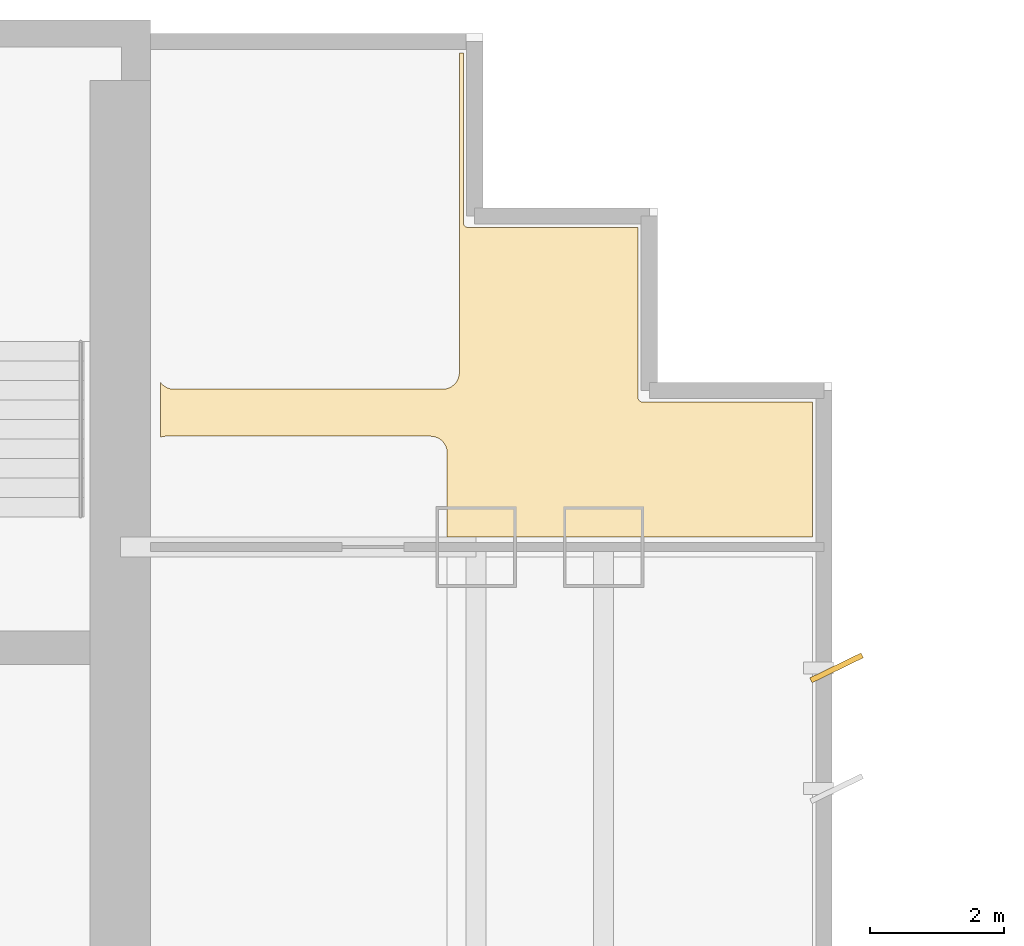
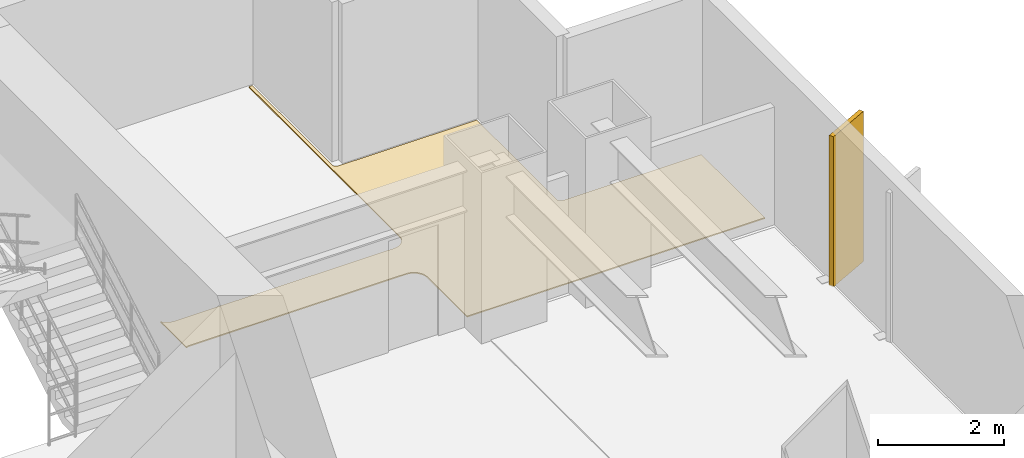
# One storey, part 11 of 11: 1 covering, 1 shading device.
"""IFC4 building model written with IfcOpenShell, lengths in metres."""

from ifc_helpers import new_model, si_unit, direction, frame, origin, origin_2d, place, context, subcontext, project, spatial, polyline, rectangle, outline, extrude, source, transform, mapped, material, layer, layer_set, type_object, element, save


model = new_model("IFC4")

# Units and contexts
model_context = context("Model", 3, precision=1e-05, world=origin(), true_north=direction((0.0, 1.0)))
body_context = subcontext(model_context, "Body", "Model", "MODEL_VIEW")
ifc_project = project(units=[si_unit("LENGTHUNIT", "METRE"), si_unit("AREAUNIT", "SQUARE_METRE"), si_unit("VOLUMEUNIT", "CUBIC_METRE"), si_unit("PLANEANGLEUNIT", "RADIAN"), si_unit("MASSUNIT", "GRAM", prefix="KILO")], contexts=[model_context])

# Site, building, storey
site_placement = place(None, origin())
site = spatial("IfcSite", under=ifc_project, at=site_placement, CompositionType="ELEMENT")
building_placement = place(site_placement, origin())
building = spatial("IfcBuilding", under=site, at=building_placement, Name="Qianlan Lanfeng Residences", CompositionType="ELEMENT")
storey_placement = place(building_placement, frame((0.0, 0.0, 24.199951171875)))
storey = spatial("IfcBuildingStorey", under=building, at=storey_placement, Name="L05", CompositionType="ELEMENT", Elevation=24.199951171875)

# Covering
ifc_material_1 = material(Name="Engineered Smoked Oak Timber Flooring", Category="wood")
ifc_layer = layer(ifc_material_1, 0.02197265625)
ifc_layer_set = layer_set([ifc_layer], Name="Engineered Smoked Oak Timber Flooring")
covering_type = type_object("IfcCoveringType", Name="FLR-TIM-22", PredefinedType="FLOORING", material=ifc_layer_set)
covering_placement = place(storey_placement, origin())
element("IfcCovering", 1, at=covering_placement, inside=storey, type_object=covering_type, Name="L05 Resident Lounge Floor Finish", PredefinedType="FLOORING", context=body_context, shape_type="SweptSolid", body=[
    extrude(outline(polyline([(43.0, 34.237060546875), (43.007080078125, 34.239013671875), (43.031005859375, 34.2451171875), (43.054931640625, 34.2490234375), (43.080078125, 34.25), (47.02001953125, 34.25), (47.044921875, 34.2490234375), (47.069091796875, 34.2451171875), (47.093017578125, 34.239013671875), (47.115966796875, 34.23095703125), (47.137939453125, 34.219970703125), (47.158935546875, 34.2080078125), (47.178955078125, 34.193115234375), (47.197021484375, 34.177001953125), (47.212890625, 34.158935546875), (47.22802734375, 34.138916015625), (47.239990234375, 34.117919921875), (47.2509765625, 34.095947265625), (47.259033203125, 34.072998046875), (47.264892578125, 34.049072265625), (47.26904296875, 34.02490234375), (47.27001953125, 34.0), (47.27001953125, 32.75), (52.7099609375, 32.75), (52.7099609375, 34.760009765625), (50.179931640625, 34.760009765625), (50.173095703125, 34.760009765625), (50.166015625, 34.760986328125), (50.159912109375, 34.762939453125), (50.153076171875, 34.764892578125), (50.14697265625, 34.76806640625), (50.14111328125, 34.77197265625), (50.135986328125, 34.77587890625), (50.131103515625, 34.781005859375), (50.1259765625, 34.785888671875), (50.1220703125, 34.791015625), (50.117919921875, 34.797119140625), (50.114990234375, 34.802978515625), (50.113037109375, 34.81005859375), (50.111083984375, 34.81591796875), (50.110107421875, 34.822998046875), (50.110107421875, 34.830078125), (50.110107421875, 37.360107421875), (47.580078125, 37.360107421875), (47.572998046875, 37.360107421875), (47.56591796875, 37.361083984375), (47.56005859375, 37.363037109375), (47.552978515625, 37.364990234375), (47.547119140625, 37.367919921875), (47.541015625, 37.3720703125), (47.535888671875, 37.3759765625), (47.531005859375, 37.381103515625), (47.52587890625, 37.385986328125), (47.52197265625, 37.39111328125), (47.51806640625, 37.39697265625), (47.514892578125, 37.403076171875), (47.512939453125, 37.409912109375), (47.510986328125, 37.416015625), (47.510009765625, 37.423095703125), (47.510009765625, 37.429931640625), (47.510009765625, 39.9599609375), (47.449951171875, 39.9599609375), (47.449951171875, 35.199951171875), (47.448974609375, 35.175048828125), (47.445068359375, 35.15087890625), (47.43896484375, 35.126953125), (47.430908203125, 35.10400390625), (47.419921875, 35.08203125), (47.407958984375, 35.06103515625), (47.39306640625, 35.041015625), (47.376953125, 35.02294921875), (47.35888671875, 35.007080078125), (47.339111328125, 34.991943359375), (47.318115234375, 34.97998046875), (47.2958984375, 34.968994140625), (47.27294921875, 34.9609375), (47.2490234375, 34.955078125), (47.22509765625, 34.950927734375), (47.199951171875, 34.949951171875), (43.199951171875, 34.949951171875), (43.175048828125, 34.950927734375), (43.15087890625, 34.955078125), (43.126953125, 34.9609375), (43.10400390625, 34.968994140625), (43.08203125, 34.97998046875), (43.06103515625, 34.991943359375), (43.041015625, 35.007080078125), (43.02294921875, 35.02294921875), (43.007080078125, 35.041015625), (43.0, 35.050048828125), (43.0, 34.237060546875)])), origin(), (0.0, 0.0, 1.0), 0.02197265625),
])

# Shading device
ifc_material_2 = material(Name="Anodised Bronze Aluminium Solar Fin", Category="aluminium")
shading_device_type = type_object("IfcShadingDeviceType", Name="FIN-BRZ-850", PredefinedType="SHUTTER", material=ifc_material_2)
shared_shape = source(origin(), body_context, "Body", "SweptSolid", [
    extrude(rectangle(XDim=0.85009765625, YDim=0.080078125, at=origin_2d()), origin(), (0.0, 0.0, 1.0), 2.89990234375),
])
shading_device_placement = place(storey_placement, frame((53.070068359375, 30.800048828125, 0.0), z_axis=(0.0, 0.0, 1.0), x_axis=(0.898794046299, 0.438371146789, 0.0)))
element("IfcShadingDevice", 2, at=shading_device_placement, inside=storey, type_object=shading_device_type, Name="L05 Raked Bronze Solar Fin E2", PredefinedType="SHUTTER", context=body_context, shape_type="MappedRepresentation", body=[
    mapped(shared_shape, transform((0.0, 0.0, 0.0), scale=1.0)),
])

save(model, "model.ifc")
